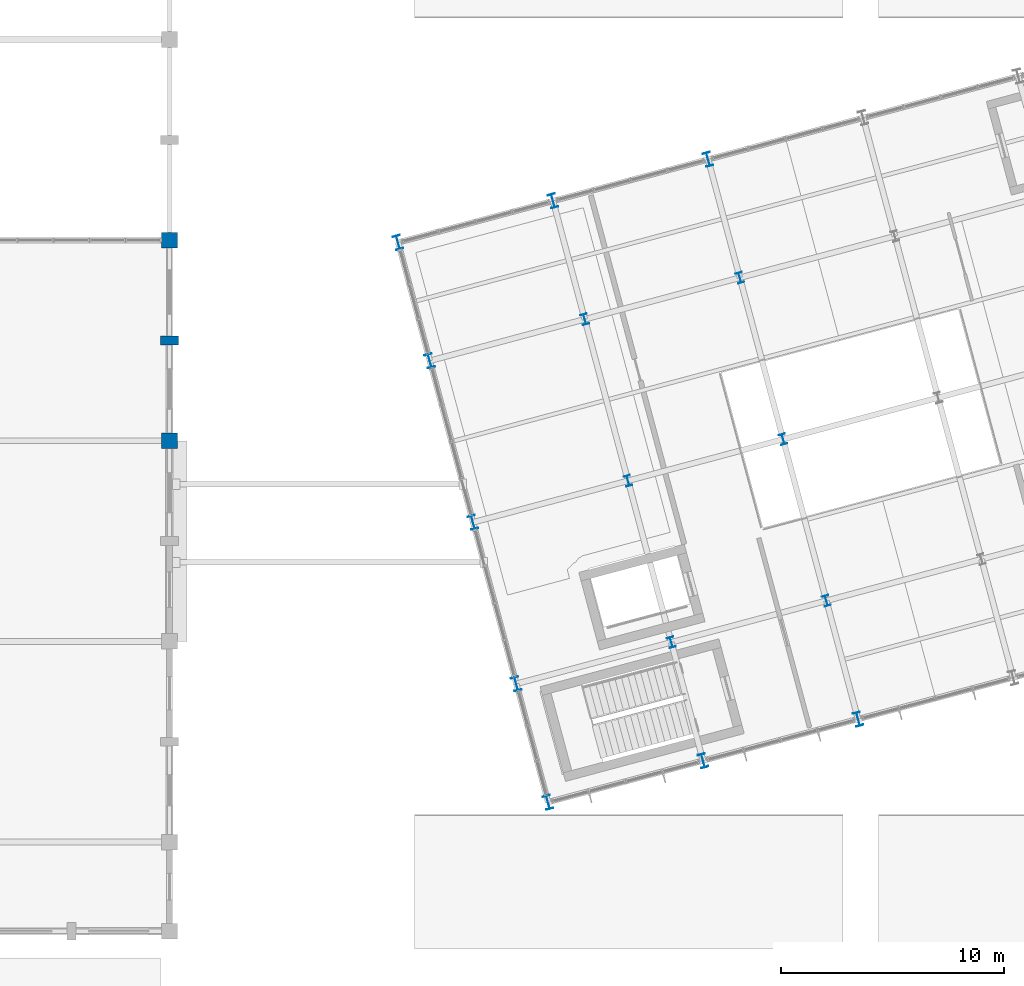
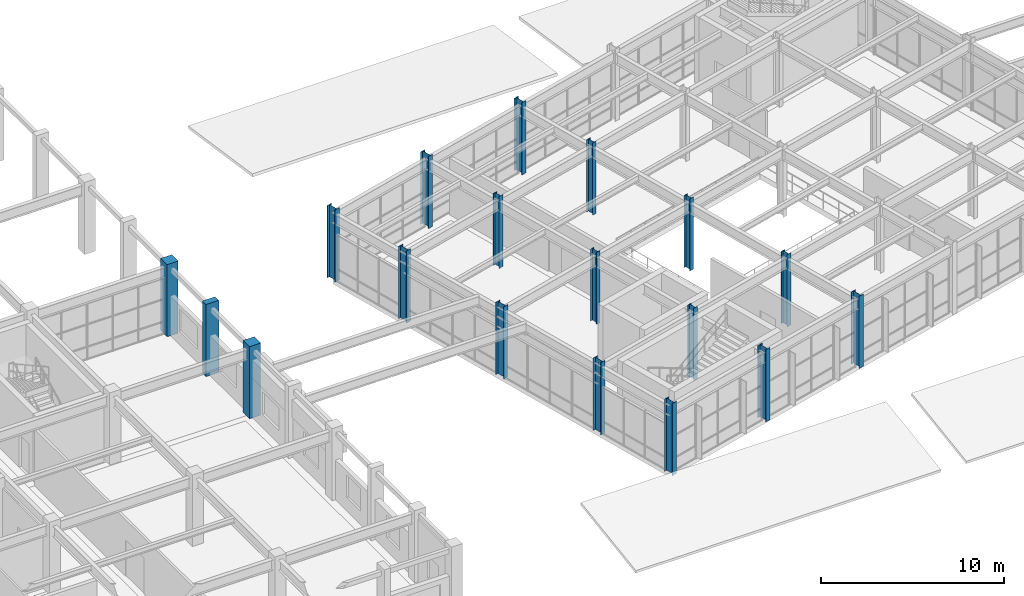
# One storey, part 2 of 104: 18 columns.
"""IFC4 building model written with IfcOpenShell, lengths in metres."""

from ifc_helpers import new_model, si_unit, direction, frame, origin, origin_2d, place, context, subcontext, project, spatial, rectangle, i_section, extrude, material, material_profile, profile_set, type_object, element, save


model = new_model("IFC4")

# Units and contexts
model_context = context("Model", 3, precision=1e-05, world=origin(), true_north=direction((0.0, 1.0)))
body_context = subcontext(model_context, "Body", "Model", "MODEL_VIEW")
ifc_project = project(units=[si_unit("LENGTHUNIT", "METRE"), si_unit("AREAUNIT", "SQUARE_METRE"), si_unit("VOLUMEUNIT", "CUBIC_METRE"), si_unit("PLANEANGLEUNIT", "RADIAN"), si_unit("MASSUNIT", "GRAM", prefix="KILO")], contexts=[model_context])

# Site, building, storey
site_placement = place(None, origin())
site = spatial("IfcSite", under=ifc_project, at=site_placement, CompositionType="ELEMENT")
building_placement = place(site_placement, origin())
building = spatial("IfcBuilding", under=site, at=building_placement, Name="Ventoquebrada Cableway Terminal", CompositionType="ELEMENT")
storey_placement = place(building_placement, frame((0.0, 0.0, 4.800048828125)))
storey = spatial("IfcBuildingStorey", under=building, at=storey_placement, Name="L01", CompositionType="ELEMENT", Elevation=4.800048828125)

# Columns
ifc_material_1 = material(Name="Concrete C40/50", Category="concrete")
ifc_material_profile_1 = material_profile(ifc_material_1, rectangle(XDim=0.699951171875, YDim=0.699951171875, at=origin_2d()), Name="RC-COL-700X700")
ifc_profile_set_1 = profile_set([ifc_material_profile_1], Name="Concrete C40/50")
column_type_1 = type_object("IfcColumnType", Name="COL-RC04", PredefinedType="COLUMN", material=ifc_profile_set_1)
for number, where, z_axis, x_axis, name in (
    (1, (35.0, 86.0, 0.0), (0.0, 0.0, 1.0), (1.0, 0.0, 0.0), "Structural column FC-0308"),
    (2, (35.0, 95.0, 0.0), (0.0, 0.0, 1.0), (1.0, 0.0, 0.0), "Structural column FC-0313"),
):
    element("IfcColumn", number, at=place(storey_placement, frame(where, z_axis=z_axis, x_axis=x_axis)), inside=storey, type_object=column_type_1, Name=name, PredefinedType="COLUMN", context=body_context, shape_type="SweptSolid", body=[
        extrude(rectangle(XDim=0.699951171875, YDim=0.699951171875, at=origin_2d()), origin(), (0.0, 0.0, 1.0), 4.800048828125),
    ])
ifc_material_2 = material(Name="Steel ASTM A992 Grade 50", Category="steel")
ifc_material_profile_2 = material_profile(ifc_material_2, i_section(OverallWidth=0.281982421875, OverallDepth=0.467041015625, WebThickness=0.01220703125, FlangeThickness=0.01953125, at=origin_2d()), Name="W18X86")
ifc_profile_set_2 = profile_set([ifc_material_profile_2], Name="Steel ASTM A992 Grade 50")
column_type_2 = type_object("IfcColumnType", Name="COL-ST01", PredefinedType="COLUMN", material=ifc_profile_set_2)
for number, where, z_axis, x_axis, name in (
    (3, (57.509033203125, 76.9599609375, 0.0), (0.0, 0.0, 1.0), (0.965925826289, 0.258819045103, 0.0), "Structural column FC-0684"),
    (4, (55.568115234375, 84.205078125, 0.0), (0.0, 0.0, 1.0), (0.965925826289, 0.258819045103, 0.0), "Structural column FC-0687"),
    (5, (53.626953125, 91.448974609375, 0.0), (0.0, 0.0, 1.0), (0.965925826289, 0.258819045103, 0.0), "Structural column FC-0690"),
    (6, (64.464111328125, 78.823974609375, 0.0), (0.0, 0.0, 1.0), (0.965925826289, 0.258819045103, 0.0), "Structural column FC-0703"),
    (7, (62.52294921875, 86.068115234375, 0.0), (0.0, 0.0, 1.0), (0.965925826289, 0.258819045103, 0.0), "Structural column FC-0706"),
    (8, (60.58203125, 93.31298828125, 0.0), (0.0, 0.0, 1.0), (0.965925826289, 0.258819045103, 0.0), "Structural column FC-0709"),
):
    element("IfcColumn", number, at=place(storey_placement, frame(where, z_axis=z_axis, x_axis=x_axis)), inside=storey, type_object=column_type_2, Name=name, PredefinedType="COLUMN", context=body_context, shape_type="SweptSolid", body=[
        extrude(i_section(OverallWidth=0.281982421875, OverallDepth=0.467041015625, WebThickness=0.01220703125, FlangeThickness=0.01953125, at=origin_2d()), origin(), (0.0, 0.0, 1.0), 4.800048828125),
    ])
ifc_material_profile_3 = material_profile(ifc_material_2, i_section(OverallWidth=0.327880859375, OverallDepth=0.6220703125, WebThickness=0.015380859375, FlangeThickness=0.0244140625, at=origin_2d()), Name="W24X131")
ifc_profile_set_3 = profile_set([ifc_material_profile_3], Name="Steel ASTM A992 Grade 50")
column_type_3 = type_object("IfcColumnType", Name="COL-ST02", PredefinedType="COLUMN", material=ifc_profile_set_3)
for number, where, z_axis, x_axis, name in (
    (9, (51.97802734375, 69.783935546875, 0.0), (0.0, 0.0, 1.0), (0.965925826289, 0.258819045103, 0.0), "Structural column FC-0654"),
    (10, (50.553955078125, 75.096923828125, 0.0), (0.0, 0.0, 1.0), (0.965925826289, 0.258819045103, 0.0), "Structural column FC-0659"),
    (11, (48.613037109375, 82.341064453125, 0.0), (0.0, 0.0, 1.0), (0.965925826289, 0.258819045103, 0.0), "Structural column FC-0664"),
    (12, (46.672119140625, 89.5859375, 0.0), (0.0, 0.0, 1.0), (0.965925826289, 0.258819045103, 0.0), "Structural column FC-0669"),
    (13, (45.2490234375, 94.89794921875, 0.0), (0.0, 0.0, 1.0), (0.965925826289, 0.258819045103, 0.0), "Structural column FC-0674"),
    (14, (58.93310546875, 71.64794921875, 0.0), (0.0, 0.0, 1.0), (0.965925826289, 0.258819045103, 0.0), "Structural column FC-0679"),
    (15, (52.202880859375, 96.761962890625, 0.0), (0.0, 0.0, 1.0), (0.965925826289, 0.258819045103, 0.0), "Structural column FC-0693"),
    (16, (65.886962890625, 73.510986328125, 0.0), (0.0, 0.0, 1.0), (0.965925826289, 0.258819045103, 0.0), "Structural column FC-0698"),
    (17, (59.157958984375, 98.625, 0.0), (0.0, 0.0, 1.0), (0.965925826289, 0.258819045103, 0.0), "Structural column FC-0712"),
):
    element("IfcColumn", number, at=place(storey_placement, frame(where, z_axis=z_axis, x_axis=x_axis)), inside=storey, type_object=column_type_3, Name=name, PredefinedType="COLUMN", context=body_context, shape_type="SweptSolid", body=[
        extrude(i_section(OverallWidth=0.327880859375, OverallDepth=0.6220703125, WebThickness=0.015380859375, FlangeThickness=0.0244140625, at=origin_2d()), origin(), (0.0, 0.0, 1.0), 4.800048828125),
    ])
ifc_material_profile_4 = material_profile(ifc_material_1, rectangle(XDim=0.39990234375, YDim=0.800048828125, at=origin_2d()), Name="RC-PIL-400X800")
ifc_profile_set_4 = profile_set([ifc_material_profile_4], Name="Concrete C40/50")
column_type_4 = type_object("IfcColumnType", Name="PIL-RC01", PredefinedType="PILASTER", material=ifc_profile_set_4)
column_placement = place(storey_placement, frame((35.0, 90.5, 0.0), z_axis=(0.0, 0.0, 1.0), x_axis=(0.0, 1.0, 0.0)))
element("IfcColumn", 18, at=column_placement, inside=storey, type_object=column_type_4, Name="Facade pilaster FPL-0391", PredefinedType="PILASTER", context=body_context, shape_type="SweptSolid", body=[
    extrude(rectangle(XDim=0.39990234375, YDim=0.800048828125, at=origin_2d()), origin(), (0.0, 0.0, 1.0), 4.800048828125),
])

save(model, "model.ifc")
